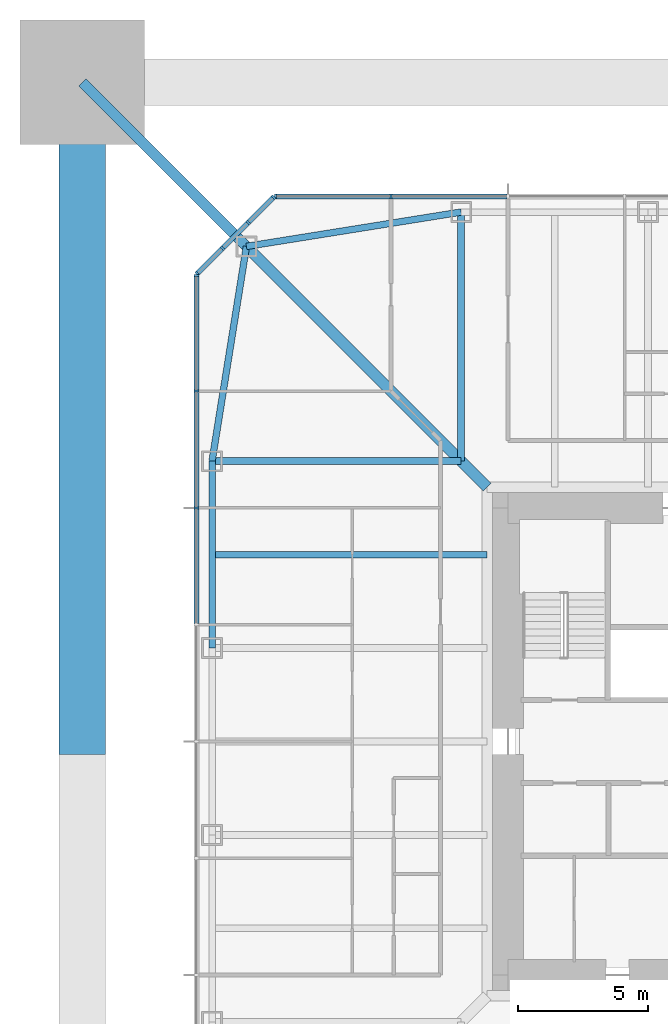
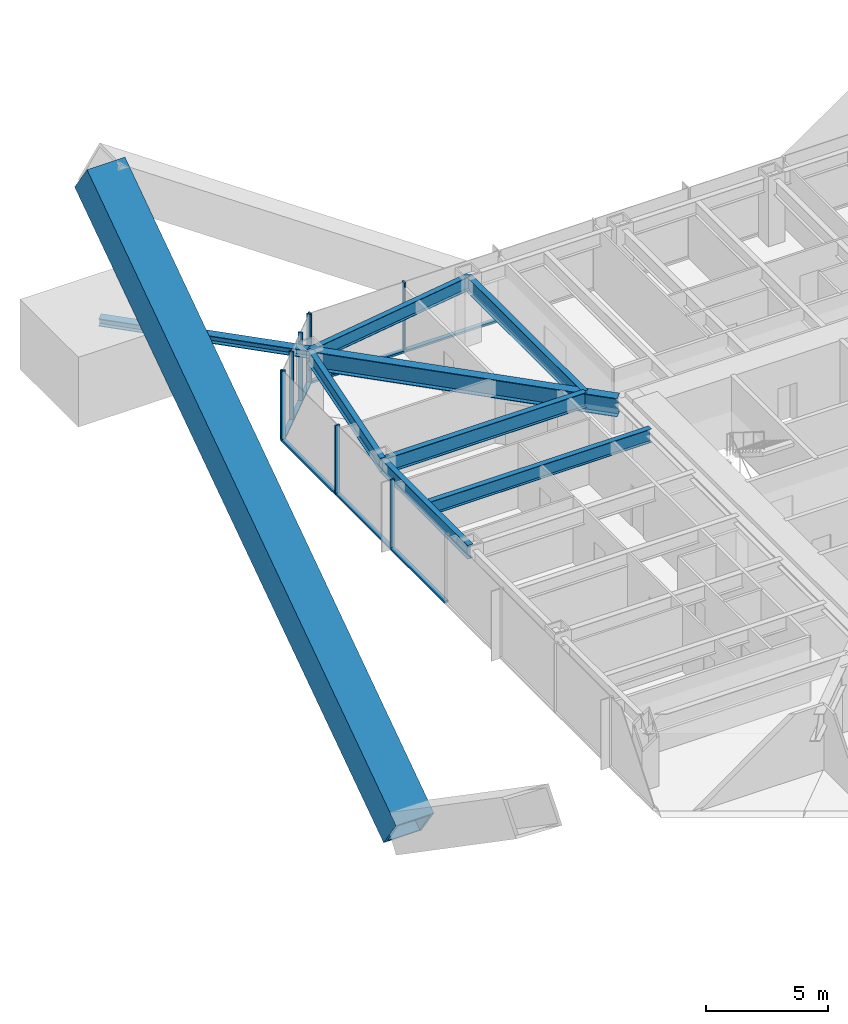
# One storey, part 5 of 17: 19 members, 7 beams, 3 elements without a shape of their own.
"""IFC4 building model written with IfcOpenShell, lengths in metres."""

from ifc_helpers import new_model, si_unit, direction, frame, origin, origin_2d, place, context, subcontext, project, spatial, rectangle, hollow_rectangle, i_section, extrude, material, material_profile, profile_set, type_object, element, aggregate, save


model = new_model("IFC4")

# Units and contexts
model_context = context("Model", 3, precision=1e-05, world=origin(), true_north=direction((0.0, 1.0)))
body_context = subcontext(model_context, "Body", "Model", "MODEL_VIEW")
ifc_project = project(units=[si_unit("LENGTHUNIT", "METRE"), si_unit("AREAUNIT", "SQUARE_METRE"), si_unit("VOLUMEUNIT", "CUBIC_METRE"), si_unit("PLANEANGLEUNIT", "RADIAN"), si_unit("MASSUNIT", "GRAM", prefix="KILO")], contexts=[model_context])

# Site, building, storey
site_placement = place(None, origin())
site = spatial("IfcSite", under=ifc_project, at=site_placement, CompositionType="ELEMENT")
building_placement = place(site_placement, origin())
building = spatial("IfcBuilding", under=site, at=building_placement, Name="Iwan Alto Co-Living Towers", CompositionType="ELEMENT")
storey_placement = place(building_placement, frame((0.0, 0.0, 133.0)))
storey = spatial("IfcBuildingStorey", under=building, at=storey_placement, Name="L36", CompositionType="ELEMENT", Elevation=133.0)

# Curtain wall, members
ifc_material_1 = material(Name="Bronze aluminium unitised frame", Category="aluminium")
curtain_wall_type_1 = type_object("IfcCurtainWallType", Name="CURTAIN WALL CW-A", PredefinedType="NOTDEFINED", material=ifc_material_1)
curtain_wall_1_placement = place(storey_placement, origin())
curtain_wall_1 = element("IfcCurtainWall", 1, at=curtain_wall_1_placement, inside=storey, type_object=curtain_wall_type_1, Name="T1 curtain wall N L36", PredefinedType="NOTDEFINED")
ifc_material_2 = material(Name="Aluminium 6063-T6 bronze anodised", Category="aluminium")
ifc_material_profile_1 = material_profile(ifc_material_2, rectangle(XDim=0.199951171875, YDim=0.080078125, at=origin_2d()), Name="AL 80X200")
ifc_profile_set_1 = profile_set([ifc_material_profile_1], Name="Aluminium 6063-T6 bronze anodised")
member_type_1 = type_object("IfcMemberType", Name="CW-A MULLION 80X200", PredefinedType="MULLION", material=ifc_profile_set_1)
member_1_placement = place(storey_placement, frame((-13.5, 21.0, 0.0), z_axis=(0.0, 0.0, 1.0), x_axis=(0.0, -1.0, 0.0)))
member_1 = element("IfcMember", 2, at=member_1_placement, type_object=member_type_1, Name="CW-A mullion 8", PredefinedType="MULLION", context=body_context, shape_type="SweptSolid", body=[
    extrude(rectangle(XDim=0.199951171875, YDim=0.080078125, at=origin_2d()), origin(), (0.0, 0.0, 1.0), 3.5),
])
member_2_placement = place(storey_placement, frame((-17.9599609375, 21.0, 0.0), z_axis=(0.0, 0.0, 1.0), x_axis=(0.0, -1.0, 0.0)))
member_2 = element("IfcMember", 3, at=member_2_placement, type_object=member_type_1, Name="CW-A mullion 9", PredefinedType="MULLION", context=body_context, shape_type="SweptSolid", body=[
    extrude(rectangle(XDim=0.199951171875, YDim=0.080078125, at=origin_2d()), origin(), (0.0, 0.0, 1.0), 3.5),
])

curtain_wall_2_placement = place(storey_placement, origin())
curtain_wall_2 = element("IfcCurtainWall", 4, at=curtain_wall_2_placement, inside=storey, type_object=curtain_wall_type_1, Name="T1 curtain wall W L36", PredefinedType="NOTDEFINED")
member_3_placement = place(storey_placement, frame((-21.0, 17.9599609375, 0.0), z_axis=(0.0, 0.0, 1.0), x_axis=(1.0, 0.0, 0.0)))
member_3 = element("IfcMember", 5, at=member_3_placement, type_object=member_type_1, Name="CW-A mullion 1", PredefinedType="MULLION", context=body_context, shape_type="SweptSolid", body=[
    extrude(rectangle(XDim=0.199951171875, YDim=0.080078125, at=origin_2d()), origin(), (0.0, 0.0, 1.0), 3.5),
])
member_4_placement = place(storey_placement, frame((-21.0, 13.5, 0.0), z_axis=(0.0, 0.0, 1.0), x_axis=(1.0, 0.0, 0.0)))
member_4 = element("IfcMember", 6, at=member_4_placement, type_object=member_type_1, Name="CW-A mullion 2", PredefinedType="MULLION", context=body_context, shape_type="SweptSolid", body=[
    extrude(rectangle(XDim=0.199951171875, YDim=0.080078125, at=origin_2d()), origin(), (0.0, 0.0, 1.0), 3.5),
])
member_5_placement = place(storey_placement, frame((-21.0, 9.0, 0.0), z_axis=(0.0, 0.0, 1.0), x_axis=(1.0, 0.0, 0.0)))
member_5 = element("IfcMember", 7, at=member_5_placement, type_object=member_type_1, Name="CW-A mullion 3", PredefinedType="MULLION", context=body_context, shape_type="SweptSolid", body=[
    extrude(rectangle(XDim=0.199951171875, YDim=0.080078125, at=origin_2d()), origin(), (0.0, 0.0, 1.0), 3.5),
])

# Member
ifc_material_3 = material(Name="Aluminium 6063-T6 bronze anodised", Category="aluminium")
ifc_material_profile_2 = material_profile(ifc_material_3, rectangle(XDim=0.199951171875, YDim=0.10009765625, at=origin_2d()), Name="AL 200X100")
ifc_profile_set_2 = profile_set([ifc_material_profile_2], Name="Aluminium 6063-T6 bronze anodised")
member_type_2 = type_object("IfcMemberType", Name="CW-A TRANSOM 200X100", PredefinedType="USERDEFINED", material=ifc_profile_set_2)
member_6_placement = place(storey_placement, frame((-9.0400390625, 21.0, 0.050048828125), z_axis=(-1.0, 0.0, 0.0), x_axis=(0.0, -1.0, 0.0)))
member_6 = element("IfcMember", 8, at=member_6_placement, type_object=member_type_2, Name="CW-A transom 7.1", ObjectType="TRANSOM", PredefinedType="USERDEFINED", context=body_context, shape_type="SweptSolid", body=[
    extrude(rectangle(XDim=0.199951171875, YDim=0.10009765625, at=origin_2d()), origin(), (0.0, 0.0, 1.0), 4.419921875),
])

member_7_placement = place(storey_placement, frame((-13.5400390625, 21.0, 0.050048828125), z_axis=(-1.0, 0.0, 0.0), x_axis=(0.0, -1.0, 0.0)))
member_7 = element("IfcMember", 9, at=member_7_placement, type_object=member_type_2, Name="CW-A transom 8.1", ObjectType="TRANSOM", PredefinedType="USERDEFINED", context=body_context, shape_type="SweptSolid", body=[
    extrude(rectangle(XDim=0.199951171875, YDim=0.10009765625, at=origin_2d()), origin(), (0.0, 0.0, 1.0), 4.3798828125),
])

aggregate(curtain_wall_1, [member_1, member_2, member_6, member_7])

member_8_placement = place(storey_placement, frame((-21.0, 17.919921875, 0.050048828125), z_axis=(0.0, -1.0, 0.0), x_axis=(1.0, 0.0, 0.0)))
member_8 = element("IfcMember", 10, at=member_8_placement, type_object=member_type_2, Name="CW-A transom 1.1", ObjectType="TRANSOM", PredefinedType="USERDEFINED", context=body_context, shape_type="SweptSolid", body=[
    extrude(rectangle(XDim=0.199951171875, YDim=0.10009765625, at=origin_2d()), origin(), (0.0, 0.0, 1.0), 4.3798828125),
])

member_9_placement = place(storey_placement, frame((-21.0, 13.4599609375, 0.050048828125), z_axis=(0.0, -1.0, 0.0), x_axis=(1.0, 0.0, 0.0)))
member_9 = element("IfcMember", 11, at=member_9_placement, type_object=member_type_2, Name="CW-A transom 2.1", ObjectType="TRANSOM", PredefinedType="USERDEFINED", context=body_context, shape_type="SweptSolid", body=[
    extrude(rectangle(XDim=0.199951171875, YDim=0.10009765625, at=origin_2d()), origin(), (0.0, 0.0, 1.0), 4.419921875),
])

member_10_placement = place(storey_placement, frame((-21.0, 8.9599609375, 0.050048828125), z_axis=(0.0, -1.0, 0.0), x_axis=(1.0, 0.0, 0.0)))
member_10 = element("IfcMember", 12, at=member_10_placement, type_object=member_type_2, Name="CW-A transom 3.1", ObjectType="TRANSOM", PredefinedType="USERDEFINED", context=body_context, shape_type="SweptSolid", body=[
    extrude(rectangle(XDim=0.199951171875, YDim=0.10009765625, at=origin_2d()), origin(), (0.0, 0.0, 1.0), 4.419921875),
])

aggregate(curtain_wall_2, [member_3, member_4, member_5, member_8, member_9, member_10])

# Curtain wall, members
ifc_material_4 = material(Name="Bronze aluminium unitised frame", Category="aluminium")
curtain_wall_type_2 = type_object("IfcCurtainWallType", Name="CURTAIN WALL CW-B", PredefinedType="NOTDEFINED", material=ifc_material_4)
curtain_wall_3_placement = place(storey_placement, origin())
curtain_wall_3 = element("IfcCurtainWall", 13, at=curtain_wall_3_placement, inside=storey, type_object=curtain_wall_type_2, Name="T1 chamfer curtain wall NW L36", PredefinedType="NOTDEFINED")
ifc_material_5 = material(Name="Aluminium 6063-T6 bronze anodised", Category="aluminium")
ifc_material_profile_3 = material_profile(ifc_material_5, rectangle(XDim=0.199951171875, YDim=0.080078125, at=origin_2d()), Name="AL 80X200")
ifc_profile_set_3 = profile_set([ifc_material_profile_3], Name="Aluminium 6063-T6 bronze anodised")
member_type_3 = type_object("IfcMemberType", Name="CW-B MULLION 80X200", PredefinedType="MULLION", material=ifc_profile_set_3)
member_11_placement = place(storey_placement, frame((-18.0283203125, 20.9716796875, 0.0), z_axis=(0.0, 0.0, 1.0), x_axis=(0.707106781187, -0.707106781187, 0.0)))
member_11 = element("IfcMember", 14, at=member_11_placement, type_object=member_type_3, Name="CW-B mullion 1", PredefinedType="MULLION", context=body_context, shape_type="SweptSolid", body=[
    extrude(rectangle(XDim=0.199951171875, YDim=0.080078125, at=origin_2d()), origin(), (0.0, 0.0, 1.0), 3.5),
])
member_12_placement = place(storey_placement, frame((-19.0, 20.0, 0.0), z_axis=(0.0, 0.0, 1.0), x_axis=(0.707106781187, -0.707106781187, 0.0)))
member_12 = element("IfcMember", 15, at=member_12_placement, type_object=member_type_3, Name="CW-B mullion 2", PredefinedType="MULLION", context=body_context, shape_type="SweptSolid", body=[
    extrude(rectangle(XDim=0.199951171875, YDim=0.080078125, at=origin_2d()), origin(), (0.0, 0.0, 1.0), 3.5),
])
member_13_placement = place(storey_placement, frame((-20.0, 19.0, 0.0), z_axis=(0.0, 0.0, 1.0), x_axis=(0.707106781187, -0.707106781187, 0.0)))
member_13 = element("IfcMember", 16, at=member_13_placement, type_object=member_type_3, Name="CW-B mullion 3", PredefinedType="MULLION", context=body_context, shape_type="SweptSolid", body=[
    extrude(rectangle(XDim=0.199951171875, YDim=0.080078125, at=origin_2d()), origin(), (0.0, 0.0, 1.0), 3.5),
])
member_14_placement = place(storey_placement, frame((-20.9716796875, 18.0283203125, 0.0), z_axis=(0.0, 0.0, 1.0), x_axis=(0.707106781187, -0.707106781187, 0.0)))
member_14 = element("IfcMember", 17, at=member_14_placement, type_object=member_type_3, Name="CW-B mullion 4", PredefinedType="MULLION", context=body_context, shape_type="SweptSolid", body=[
    extrude(rectangle(XDim=0.199951171875, YDim=0.080078125, at=origin_2d()), origin(), (0.0, 0.0, 1.0), 3.5),
])
ifc_material_6 = material(Name="Aluminium 6063-T6 bronze anodised", Category="aluminium")
ifc_material_profile_4 = material_profile(ifc_material_6, rectangle(XDim=0.199951171875, YDim=0.10009765625, at=origin_2d()), Name="AL 200X100")
ifc_profile_set_4 = profile_set([ifc_material_profile_4], Name="Aluminium 6063-T6 bronze anodised")
member_type_4 = type_object("IfcMemberType", Name="CW-B TRANSOM 200X100", PredefinedType="USERDEFINED", material=ifc_profile_set_4)
member_15_placement = place(storey_placement, frame((-18.056640625, 20.943359375, 0.050048828125), z_axis=(-0.707106781187, -0.707106781187, 0.0), x_axis=(0.707106781187, -0.707106781187, 0.0)))
member_15 = element("IfcMember", 18, at=member_15_placement, type_object=member_type_4, Name="CW-B transom 1.1", ObjectType="TRANSOM", PredefinedType="USERDEFINED", context=body_context, shape_type="SweptSolid", body=[
    extrude(rectangle(XDim=0.199951171875, YDim=0.10009765625, at=origin_2d()), origin(), (0.0, 0.0, 1.0), 1.2939453125),
])
member_16_placement = place(storey_placement, frame((-19.0283203125, 19.9716796875, 0.050048828125), z_axis=(-0.707106781187, -0.707106781187, 0.0), x_axis=(0.707106781187, -0.707106781187, 0.0)))
member_16 = element("IfcMember", 19, at=member_16_placement, type_object=member_type_4, Name="CW-B transom 2.1", ObjectType="TRANSOM", PredefinedType="USERDEFINED", context=body_context, shape_type="SweptSolid", body=[
    extrude(rectangle(XDim=0.199951171875, YDim=0.10009765625, at=origin_2d()), origin(), (0.0, 0.0, 1.0), 1.334228515625),
])
member_17_placement = place(storey_placement, frame((-20.0283203125, 18.9716796875, 0.050048828125), z_axis=(-0.707106781187, -0.707106781187, 0.0), x_axis=(0.707106781187, -0.707106781187, 0.0)))
member_17 = element("IfcMember", 20, at=member_17_placement, type_object=member_type_4, Name="CW-B transom 3.1", ObjectType="TRANSOM", PredefinedType="USERDEFINED", context=body_context, shape_type="SweptSolid", body=[
    extrude(rectangle(XDim=0.199951171875, YDim=0.10009765625, at=origin_2d()), origin(), (0.0, 0.0, 1.0), 1.2939453125),
])
aggregate(curtain_wall_3, [member_11, member_12, member_13, member_14, member_15, member_16, member_17])

# Beams
ifc_material_7 = material(Name="Steel ASTM A992 Gr 50", Category="steel")
ifc_material_profile_5 = material_profile(ifc_material_7, i_section(OverallWidth=0.419189453125, OverallDepth=0.927001953125, WebThickness=0.019287109375, FlangeThickness=0.031982421875, at=origin_2d()), Name="W36X231")
ifc_profile_set_5 = profile_set([ifc_material_profile_5], Name="Steel ASTM A992 Gr 50")
beam_type_1 = type_object("IfcBeamType", Name="T1 CORNER GIRDER W36X231", PredefinedType="BEAM", material=ifc_profile_set_5)
beam_1_placement = place(storey_placement, frame((-19.07568359375, 19.07568359375, 2.806396484375), z_axis=(0.707106781187, -0.707106781187, 0.0), x_axis=(0.707106781187, 0.707106781187, 0.0)))
element("IfcBeam", 21, at=beam_1_placement, inside=storey, type_object=beam_type_1, Name="T1 corner girder CNW L37", PredefinedType="BEAM", context=body_context, shape_type="SweptSolid", body=[
    extrude(i_section(OverallWidth=0.419189453125, OverallDepth=0.927001953125, WebThickness=0.019287109375, FlangeThickness=0.031982421875, at=origin_2d()), origin(), (0.0, 0.0, 1.0), 13.11865234375),
])
ifc_material_8 = material(Name="Steel ASTM A992 Gr 50", Category="steel")
ifc_material_profile_6 = material_profile(ifc_material_8, i_section(OverallWidth=0.25390625, OverallDepth=0.683349609375, WebThickness=0.012451171875, FlangeThickness=0.018798828125, at=origin_2d()), Name="W27X94")
ifc_profile_set_6 = profile_set([ifc_material_profile_6], Name="Steel ASTM A992 Gr 50")
beam_type_2 = type_object("IfcBeamType", Name="T1 EDGE BEAM W27X94", PredefinedType="BEAM", material=ifc_profile_set_6)
for number, where, z_axis, x_axis, name in (
    (22, (-10.800048828125, 20.39990234375, 2.928466796875), (-0.987438450439, -0.158004134737, 0.0), (0.158004134737, -0.987438450439, 0.0), "T1 edge beam N4 L37"),
    (23, (-19.07568359375, 19.07568359375, 2.928466796875), (-0.158004134737, -0.987438450439, 0.0), (0.987438450439, -0.158004134737, 0.0), "T1 edge beam CNW L37"),
):
    element("IfcBeam", number, at=place(storey_placement, frame(where, z_axis=z_axis, x_axis=x_axis)), inside=storey, type_object=beam_type_2, Name=name, PredefinedType="BEAM", context=body_context, shape_type="SweptSolid", body=[
        extrude(i_section(OverallWidth=0.25390625, OverallDepth=0.683349609375, WebThickness=0.012451171875, FlangeThickness=0.018798828125, at=origin_2d()), origin(), (0.0, 0.0, 1.0), 8.380859375),
    ])
beam_2_placement = place(storey_placement, frame((-20.39990234375, 10.800048828125, 2.928466796875), z_axis=(0.0, -1.0, 0.0), x_axis=(1.0, 0.0, 0.0)))
element("IfcBeam", 24, at=beam_2_placement, inside=storey, type_object=beam_type_2, Name="T1 edge beam W1 L37", PredefinedType="BEAM", context=body_context, shape_type="SweptSolid", body=[
    extrude(i_section(OverallWidth=0.25390625, OverallDepth=0.683349609375, WebThickness=0.012451171875, FlangeThickness=0.018798828125, at=origin_2d()), origin(), (0.0, 0.0, 1.0), 7.199951171875),
])

# Members
ifc_material_9 = material(Name="Steel ASTM A572 Gr 42", Category="steel")
ifc_material_profile_7 = material_profile(ifc_material_9, hollow_rectangle(XDim=1.800048828125, YDim=1.800048828125, WallThickness=0.1298828125, at=origin_2d()), Name="BOX 1800X1800X130")
ifc_profile_set_7 = profile_set([ifc_material_profile_7], Name="Steel ASTM A572 Gr 42")
member_type_5 = type_object("IfcMemberType", Name="T1 MEGA BRACE BOX 1800X1800X130", PredefinedType="BRACE", material=ifc_profile_set_7)
member_18_placement = place(storey_placement, frame((-25.39990234375, 0.0, -7.0), z_axis=(0.0, 0.82347292246, 0.56735557279), x_axis=(-1.0, 0.0, 0.0)))
element("IfcMember", 25, at=member_18_placement, inside=storey, type_object=member_type_5, Name="T1 mega brace Z2B W 2 upper", PredefinedType="BRACE", context=body_context, shape_type="SweptSolid", body=[
    extrude(hollow_rectangle(XDim=1.800048828125, YDim=1.800048828125, WallThickness=0.1298828125, at=origin_2d()), origin(), (0.0, 0.0, 1.0), 30.844970703125),
])
ifc_material_10 = material(Name="Steel ASTM A992 Gr 50", Category="steel")
ifc_material_profile_8 = material_profile(ifc_material_10, i_section(OverallWidth=0.393798828125, OverallDepth=0.3759765625, WebThickness=0.017333984375, FlangeThickness=0.027587890625, at=origin_2d()), Name="W14X145")
ifc_profile_set_8 = profile_set([ifc_material_profile_8], Name="Steel ASTM A992 Gr 50")
member_type_6 = type_object("IfcMemberType", Name="T1 MEGA COLUMN FLOOR TIE W14X145", PredefinedType="STRUT", material=ifc_profile_set_8)
member_19_placement = place(storey_placement, frame((-25.39990234375, 25.39990234375, 3.08203125), z_axis=(0.707106781187, -0.707106781187, 0.0), x_axis=(0.707106781187, 0.707106781187, 0.0)))
element("IfcMember", 26, at=member_19_placement, inside=storey, type_object=member_type_6, Name="T1 mega column floor tie NW L37", PredefinedType="STRUT", context=body_context, shape_type="SweptSolid", body=[
    extrude(i_section(OverallWidth=0.393798828125, OverallDepth=0.3759765625, WebThickness=0.017333984375, FlangeThickness=0.027587890625, at=origin_2d()), origin(), (0.0, 0.0, 1.0), 8.94384765625),
])

# Beams
ifc_material_11 = material(Name="Steel ASTM A992 Gr 50", Category="steel")
ifc_material_profile_9 = material_profile(ifc_material_11, i_section(OverallWidth=0.2666015625, OverallDepth=0.761962890625, WebThickness=0.014404296875, FlangeThickness=0.021484375, at=origin_2d()), Name="W30X116")
ifc_profile_set_9 = profile_set([ifc_material_profile_9], Name="Steel ASTM A992 Gr 50")
beam_type_3 = type_object("IfcBeamType", Name="T1 RADIAL BEAM W30X116", PredefinedType="BEAM", material=ifc_profile_set_9)
for number, where, z_axis, x_axis, name in (
    (27, (-10.800048828125, 20.39990234375, 2.888916015625), (0.0, -1.0, 0.0), (1.0, 0.0, 0.0), "T1 radial beam N4 L37"),
    (28, (-20.39990234375, 10.800048828125, 2.888916015625), (1.0, 0.0, 0.0), (0.0, 1.0, 0.0), "T1 radial beam W1 L37"),
):
    element("IfcBeam", number, at=place(storey_placement, frame(where, z_axis=z_axis, x_axis=x_axis)), inside=storey, type_object=beam_type_3, Name=name, PredefinedType="BEAM", context=body_context, shape_type="SweptSolid", body=[
        extrude(i_section(OverallWidth=0.2666015625, OverallDepth=0.761962890625, WebThickness=0.014404296875, FlangeThickness=0.021484375, at=origin_2d()), origin(), (0.0, 0.0, 1.0), 9.599853515625),
    ])
ifc_material_12 = material(Name="Steel ASTM A992 Gr 50", Category="steel")
ifc_material_profile_10 = material_profile(ifc_material_12, i_section(OverallWidth=0.25390625, OverallDepth=0.683349609375, WebThickness=0.012451171875, FlangeThickness=0.018798828125, at=origin_2d()), Name="W27X94")
ifc_profile_set_10 = profile_set([ifc_material_profile_10], Name="Steel ASTM A992 Gr 50")
beam_type_4 = type_object("IfcBeamType", Name="T1 SECONDARY BEAM W27X94", PredefinedType="JOIST", material=ifc_profile_set_10)
beam_3_placement = place(storey_placement, frame((-20.39990234375, 7.199951171875, 2.928466796875), z_axis=(1.0, 0.0, 0.0), x_axis=(0.0, 1.0, 0.0)))
element("IfcBeam", 29, at=beam_3_placement, inside=storey, type_object=beam_type_4, Name="T1 secondary beam W1 L37", PredefinedType="JOIST", context=body_context, shape_type="SweptSolid", body=[
    extrude(i_section(OverallWidth=0.25390625, OverallDepth=0.683349609375, WebThickness=0.012451171875, FlangeThickness=0.018798828125, at=origin_2d()), origin(), (0.0, 0.0, 1.0), 10.6005859375),
])

save(model, "model.ifc")
